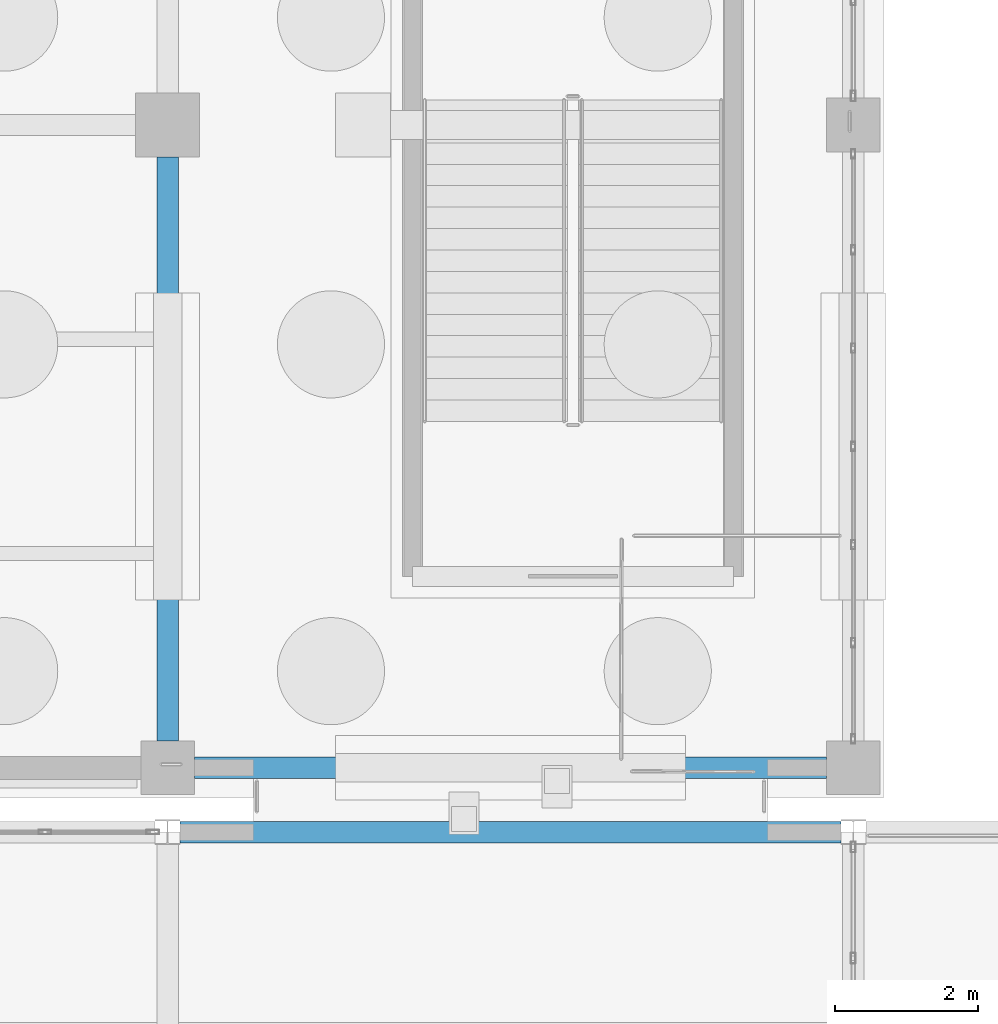
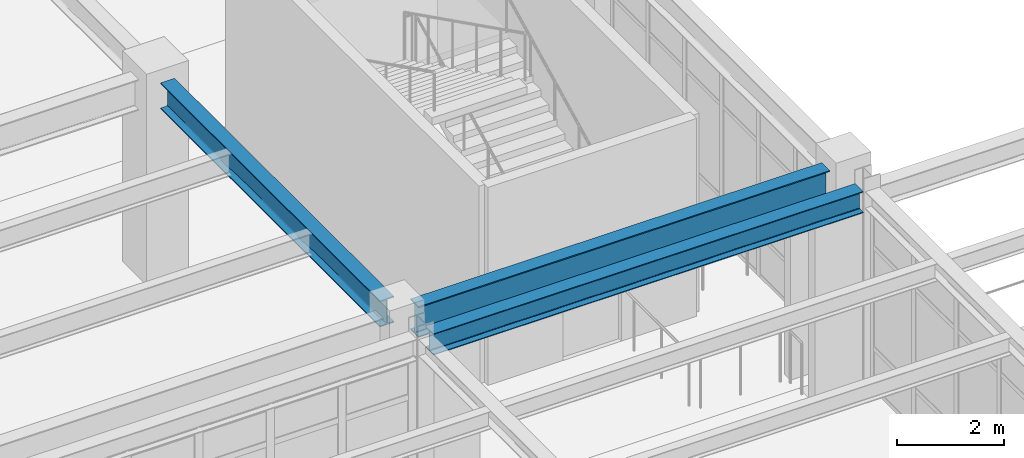
# One storey, part 37 of 139: 3 beams.
"""IFC4 building model written with IfcOpenShell, lengths in metres."""

from ifc_helpers import new_model, si_unit, direction, frame, origin, origin_2d, place, context, subcontext, project, spatial, i_section, extrude, material, material_profile, profile_set, type_object, element, save


model = new_model("IFC4")

# Units and contexts
model_context = context("Model", 3, precision=1e-05, world=origin(), true_north=direction((0.0, 1.0)))
body_context = subcontext(model_context, "Body", "Model", "MODEL_VIEW")
ifc_project = project(units=[si_unit("LENGTHUNIT", "METRE"), si_unit("AREAUNIT", "SQUARE_METRE"), si_unit("VOLUMEUNIT", "CUBIC_METRE"), si_unit("PLANEANGLEUNIT", "RADIAN"), si_unit("MASSUNIT", "GRAM", prefix="KILO")], contexts=[model_context])

# Site, building, storey
site_placement = place(None, origin())
site = spatial("IfcSite", under=ifc_project, at=site_placement, CompositionType="ELEMENT")
building_placement = place(site_placement, origin())
building = spatial("IfcBuilding", under=site, at=building_placement, Name="Canglan Escarpment Cableway Terminal", CompositionType="ELEMENT")
storey_placement = place(building_placement, frame((0.0, 0.0, 14.39990234375)))
storey = spatial("IfcBuildingStorey", under=building, at=storey_placement, Name="L03", CompositionType="ELEMENT", Elevation=14.39990234375)

# Beams
ifc_material_1 = material(Name="Steel Q355B", Category="steel")
ifc_material_profile_1 = material_profile(ifc_material_1, i_section(OverallWidth=0.300048828125, OverallDepth=0.488037109375, WebThickness=0.010986328125, FlangeThickness=0.01806640625, FilletRadius=0.02587890625, at=origin_2d()), Name="HM 488x300x11x18")
ifc_profile_set_1 = profile_set([ifc_material_profile_1], Name="Steel Q355B")
beam_type_1 = type_object("IfcBeamType", Name="BM-HM488", PredefinedType="BEAM", material=ifc_profile_set_1)
beam_1_placement = place(storey_placement, frame((156.97509765625, 33.10009765625, 4.256103515625), z_axis=(1.0, 0.0, 0.0), x_axis=(0.0, 1.0, 0.0)))
element("IfcBeam", 1, at=beam_1_placement, inside=storey, type_object=beam_type_1, Name="Primary structural girder B-09", PredefinedType="BEAM", context=body_context, shape_type="SweptSolid", body=[
    extrude(i_section(OverallWidth=0.300048828125, OverallDepth=0.488037109375, WebThickness=0.010986328125, FlangeThickness=0.01806640625, FilletRadius=0.02587890625, at=origin_2d()), origin(), (0.0, 0.0, 1.0), 9.25),
])
ifc_material_2 = material(Name="Steel Q355C", Category="steel")
ifc_material_profile_2 = material_profile(ifc_material_2, i_section(OverallWidth=0.302001953125, OverallDepth=0.593994140625, WebThickness=0.013916015625, FlangeThickness=0.02294921875, FilletRadius=0.028076171875, at=origin_2d()), Name="HM 594x302x14x23")
ifc_profile_set_2 = profile_set([ifc_material_profile_2], Name="Steel Q355C")
beam_type_2 = type_object("IfcBeamType", Name="BM-HM594", PredefinedType="BEAM", material=ifc_profile_set_2)
beam_2_placement = place(storey_placement, frame((156.800048828125, 34.375, 4.203125), z_axis=(0.0, 1.0, 0.0), x_axis=(-1.0, 0.0, 0.0)))
element("IfcBeam", 2, at=beam_2_placement, inside=storey, type_object=beam_type_2, Name="Primary transverse girder B-07", PredefinedType="BEAM", context=body_context, shape_type="SweptSolid", body=[
    extrude(i_section(OverallWidth=0.302001953125, OverallDepth=0.593994140625, WebThickness=0.013916015625, FlangeThickness=0.02294921875, FilletRadius=0.028076171875, at=origin_2d()), origin(), (0.0, 0.0, 1.0), 8.175048828125),
])
ifc_material_profile_3 = material_profile(ifc_material_2, i_section(OverallWidth=0.300048828125, OverallDepth=0.699951171875, WebThickness=0.012939453125, FlangeThickness=0.02392578125, FilletRadius=0.028076171875, at=origin_2d()), Name="HN 700x300x13x24")
ifc_profile_set_3 = profile_set([ifc_material_profile_3], Name="Steel Q355C")
beam_type_3 = type_object("IfcBeamType", Name="BM-HN700", PredefinedType="BEAM", material=ifc_profile_set_3)
beam_3_placement = place(storey_placement, frame((157.175048828125, 34.0, 4.150146484375), z_axis=(1.0, 0.0, 0.0), x_axis=(0.0, 1.0, 0.0)))
element("IfcBeam", 3, at=beam_3_placement, inside=storey, type_object=beam_type_3, Name="Primary structural girder B-06", PredefinedType="BEAM", context=body_context, shape_type="SweptSolid", body=[
    extrude(i_section(OverallWidth=0.300048828125, OverallDepth=0.699951171875, WebThickness=0.012939453125, FlangeThickness=0.02392578125, FilletRadius=0.028076171875, at=origin_2d()), origin(), (0.0, 0.0, 1.0), 8.849853515625),
])

save(model, "model.ifc")
